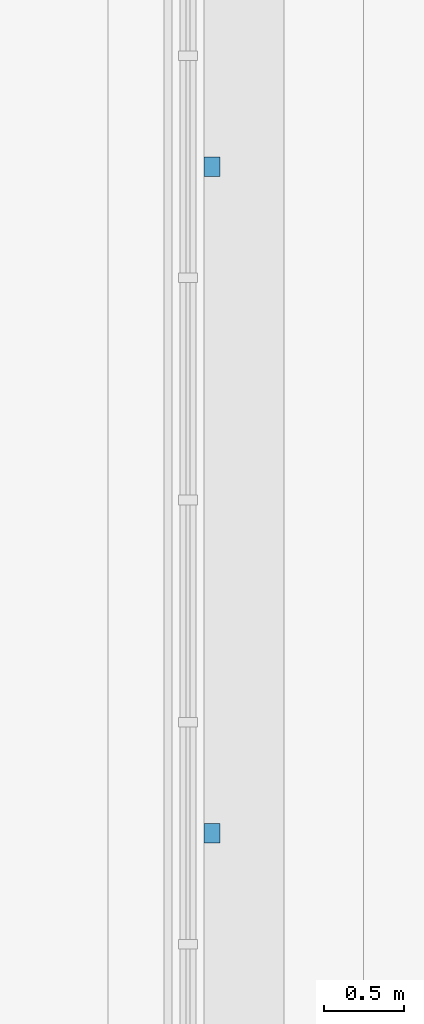
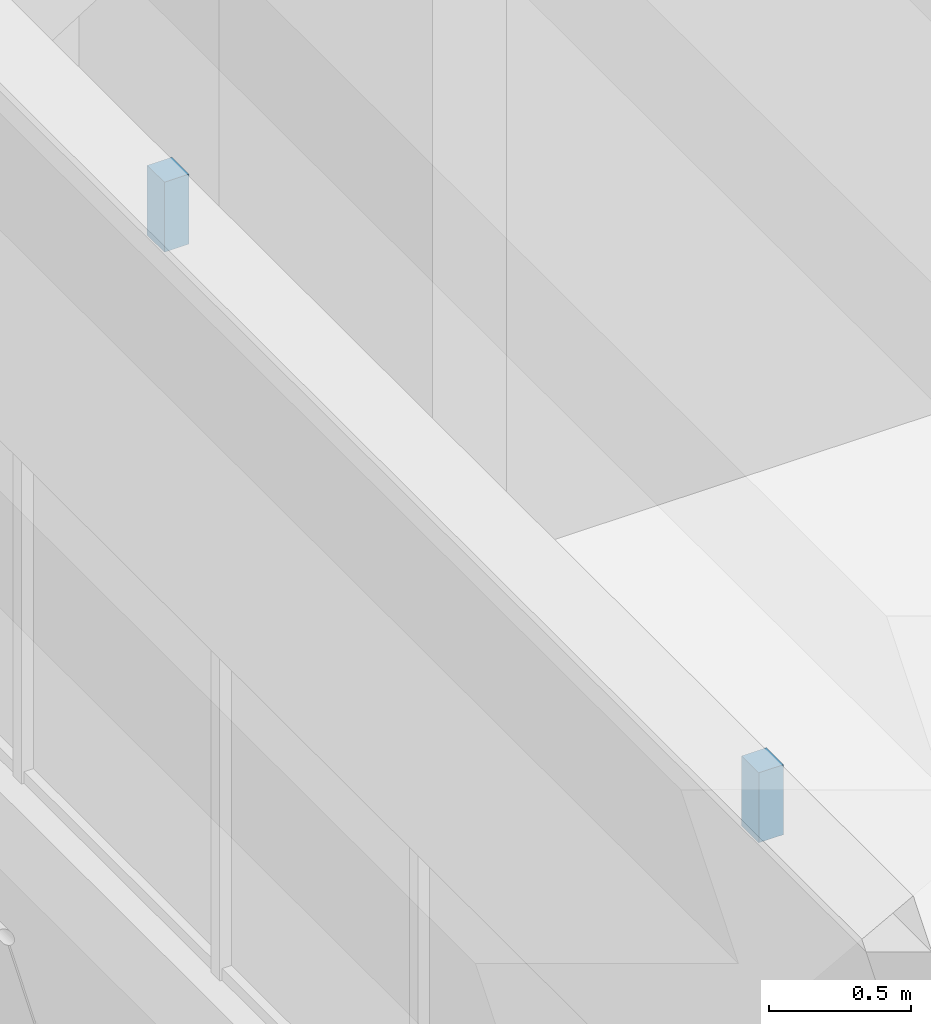
# One storey, part 124 of 182: 2 discrete accessories.
"""IFC4 building model written with IfcOpenShell, lengths in metres."""

import ifcopenshell
import ifcopenshell.guid

model = None  # the IFC model being written
_history = None  # IfcOwnerHistory: only IFC2X3 demands one
_inside = {}  # id of a spatial element -> (the spatial element, [elements in it])
_under = {}  # id of a project, library or spatial element -> (it, [spatial elements below it])
_declared = {}  # id of a project -> (the project, [libraries it declares])
_typed = {}  # id of a type object -> (the type object, [elements of that type])
_made_of = {}  # id of a material, layer set ... -> (it, [elements and type objects made of it])


def new_model(schema):
    """Start an empty IFC model of exactly this schema.

    Asked for "IFC4X3", IfcOpenShell would pick the latest addendum, in which some entities
    have other attributes; the version numbers below select the first issue.
    IFC2X3 requires an IfcOwnerHistory on every rooted entity: one is made here for all.
    """
    global model, _history
    if schema == "IFC4X3":
        model = ifcopenshell.file(schema_version=(4, 3, 0, 0))
    else:
        model = ifcopenshell.file(schema=schema)
    _inside.clear()
    _under.clear()
    _declared.clear()
    _typed.clear()
    _made_of.clear()
    _history = None
    if model.schema == "IFC2X3":
        org = make("IfcOrganization", Name="unknown")
        user = make(
            "IfcPersonAndOrganization",
            ThePerson=make("IfcPerson", FamilyName="unknown"),
            TheOrganization=org,
        )
        app = make(
            "IfcApplication",
            ApplicationDeveloper=org,
            Version="unknown",
            ApplicationFullName="unknown",
            ApplicationIdentifier="unknown",
        )
        _history = make(
            "IfcOwnerHistory",
            OwningUser=user,
            OwningApplication=app,
            ChangeAction="ADDED",
            CreationDate=0,
        )
    return model


def make(cls, **values):
    """One entity of the class cls with the attributes given. An attribute that is None is left unset."""
    return model.create_entity(
        cls, **{name: value for name, value in values.items() if value is not None}
    )


def rooted(cls, **values):
    """An entity with a GlobalId (a new one), such as an element, a storey or a relation."""
    return make(cls, GlobalId=ifcopenshell.guid.new(), OwnerHistory=_history, **values)


def si_unit(unit_type, name, prefix=None):
    """IfcSIUnit, for example si_unit("LENGTHUNIT", "METRE", prefix="MILLI")."""
    return make("IfcSIUnit", UnitType=unit_type, Prefix=prefix, Name=name)


def assignment(units):
    """IfcUnitAssignment: the units of a project."""
    return None if units is None else make("IfcUnitAssignment", Units=units)


def point(xyz):
    """IfcCartesianPoint."""
    return None if xyz is None else make("IfcCartesianPoint", Coordinates=xyz)


def direction(xyz):
    """IfcDirection."""
    return None if xyz is None else make("IfcDirection", DirectionRatios=xyz)


def frame(location, z_axis=None, x_axis=None):
    """IfcAxis2Placement3D, a coordinate frame: its origin and axes. An axis left out is left unset."""
    return make(
        "IfcAxis2Placement3D",
        Location=point(location),
        Axis=direction(z_axis),
        RefDirection=direction(x_axis),
    )


def frame_2d(location, x_axis=None):
    """IfcAxis2Placement2D, a coordinate frame in the plane: its origin and x axis."""
    return make(
        "IfcAxis2Placement2D", Location=point(location), RefDirection=direction(x_axis)
    )


def origin():
    """The frame at (0, 0, 0) with its axes left unset."""
    return frame((0.0, 0.0, 0.0))


def origin_2d():
    """The frame at (0, 0) in the plane with its x axis left unset."""
    return frame_2d((0.0, 0.0))


def place(relative_to, where):
    """IfcLocalPlacement: puts the frame where relative to a parent placement (None: the world)."""
    return make(
        "IfcLocalPlacement", PlacementRelTo=relative_to, RelativePlacement=where
    )


def context(
    kind, dimensions, precision=None, world=None, true_north=None, identifier=None
):
    """IfcGeometricRepresentationContext, for example the 3D "Model" context."""
    return make(
        "IfcGeometricRepresentationContext",
        ContextIdentifier=identifier,
        ContextType=kind,
        CoordinateSpaceDimension=dimensions,
        Precision=precision,
        WorldCoordinateSystem=world,
        TrueNorth=true_north,
    )


def subcontext(parent, identifier, kind, view, scale=None):
    """IfcGeometricRepresentationSubContext, for example "Body" below "Model"."""
    return make(
        "IfcGeometricRepresentationSubContext",
        ContextIdentifier=identifier,
        ContextType=kind,
        ParentContext=parent,
        TargetScale=scale,
        TargetView=view,
    )


def project(units=None, contexts=None):
    """IfcProject with its units and contexts."""
    return rooted(
        "IfcProject",
        Name="project",
        RepresentationContexts=contexts,
        UnitsInContext=assignment(units),
    )


def spatial(cls, under=None, at=None, **own):
    """A site, building, storey or space (cls), placed at a placement, below another one or the project."""
    s = rooted(cls, ObjectPlacement=at, **own)
    if under is not None:
        _under.setdefault(under.id(), (under, []))[1].append(s)
    return s


def profile(cls, at=None, kind="AREA", **sizes):
    """A parametric profile (cls). Its sizes go by their IFC names, for example OverallWidth=200.0."""
    return make(cls, ProfileType=kind, Position=at, **sizes)


def rectangle(**sizes):
    """IfcRectangleProfileDef."""
    return profile("IfcRectangleProfileDef", **sizes)


def extrude(swept, where, along, depth):
    """IfcExtrudedAreaSolid: the profile swept, set in the frame where, extruded along a direction by depth."""
    return make(
        "IfcExtrudedAreaSolid",
        SweptArea=swept,
        Position=where,
        ExtrudedDirection=direction(along),
        Depth=depth,
    )


def shape(context_of_items, identifier, shape_type, items):
    """IfcShapeRepresentation: the items that make up one representation, for example the "Body"."""
    return make(
        "IfcShapeRepresentation",
        ContextOfItems=context_of_items,
        RepresentationIdentifier=identifier,
        RepresentationType=shape_type,
        Items=items,
    )


def material(Name=None, Category=None):
    """IfcMaterial."""
    return make("IfcMaterial", Name=Name, Category=Category)


def made_of(thing, what):
    """Note that an element or type object is made of a material, layer set ...; save() writes the relation."""
    if what is not None:
        _made_of.setdefault(what.id(), (what, []))[1].append(thing)
    return thing


def type_object(cls, material=None, **own):
    """A type object (cls), such as IfcWallType, which elements share."""
    return made_of(rooted(cls, **own), material)


def element(
    cls,
    number,
    at=None,
    inside=None,
    cuts=None,
    type_object=None,
    material=None,
    context=None,
    identifier="Body",
    shape_type=None,
    held_by="IfcProductDefinitionShape",
    body=None,
    shapes=None,
    **own,
):
    """One element of the class cls, such as IfcWall. Its Tag is "e" and its number.

    at: its placement. inside: the storey or other place that contains it. cuts: it is an
    opening in that element (IfcRelVoidsElement). A single representation is given by context,
    identifier, shape_type and body (its items); several are given by shapes. held_by: the class
    of the entity that holds the representations. save() writes the other relations.
    """
    e = rooted(cls, Tag="e%d" % number, ObjectPlacement=at, **own)
    if body is not None:
        shapes = [shape(context, identifier, shape_type, body)]
    if shapes is not None:
        e.Representation = make(held_by, Representations=shapes)
    if inside is not None:
        _inside.setdefault(inside.id(), (inside, []))[1].append(e)
    if cuts is not None:
        rooted(
            "IfcRelVoidsElement", RelatingBuildingElement=cuts, RelatedOpeningElement=e
        )
    if type_object is not None:
        _typed.setdefault(type_object.id(), (type_object, []))[1].append(e)
    return made_of(e, material)


def aggregate(whole, parts):
    """IfcRelAggregates: a whole, such as a stair, and the parts it consists of."""
    return rooted("IfcRelAggregates", RelatingObject=whole, RelatedObjects=parts)


def save(model, path):
    """Write the relations noted so far, then the file.

    IfcRelAggregates (storeys below a building ...), IfcRelContainedInSpatialStructure (elements
    in a storey), IfcRelDefinesByType, IfcRelAssociatesMaterial and IfcRelDeclares: one each for
    every whole, place, type object, material and project.
    """
    for whole, parts in _under.values():
        aggregate(whole, parts)
    for where, things in _inside.values():
        rooted(
            "IfcRelContainedInSpatialStructure",
            RelatedElements=things,
            RelatingStructure=where,
        )
    for kind, things in _typed.values():
        rooted("IfcRelDefinesByType", RelatedObjects=things, RelatingType=kind)
    for what, things in _made_of.values():
        rooted("IfcRelAssociatesMaterial", RelatedObjects=things, RelatingMaterial=what)
    for by, libraries in _declared.values():
        rooted("IfcRelDeclares", RelatingContext=by, RelatedDefinitions=libraries)
    model.write(path)


model = new_model("IFC4")

# Units and contexts
model_context = context("Model", 3, precision=1e-05, world=origin(), true_north=direction((0.0, 1.0)))
body_context = subcontext(model_context, "Body", "Model", "MODEL_VIEW")
ifc_project = project(units=[si_unit("LENGTHUNIT", "METRE"), si_unit("AREAUNIT", "SQUARE_METRE"), si_unit("VOLUMEUNIT", "CUBIC_METRE"), si_unit("PLANEANGLEUNIT", "RADIAN"), si_unit("MASSUNIT", "GRAM", prefix="KILO")], contexts=[model_context])

# Site, building, storey
site_placement = place(None, origin())
site = spatial("IfcSite", under=ifc_project, at=site_placement, CompositionType="ELEMENT")
building_placement = place(site_placement, origin())
building = spatial("IfcBuilding", under=site, at=building_placement, Name="Silverbay Arena", CompositionType="ELEMENT")
storey_placement = place(building_placement, frame((0.0, 0.0, 11.5)))
storey = spatial("IfcBuildingStorey", under=building, at=storey_placement, Name="L02", CompositionType="ELEMENT", Elevation=11.5)

# Discrete accessories
ifc_material = material(Name="Steel S355", Category="steel")
discrete_accessory_type = type_object("IfcDiscreteAccessoryType", Name="Steel bracket plate", PredefinedType="BRACKET", material=ifc_material)
for number, where, z_axis, x_axis, name in (
    (1, (177.550048828125, 92.4375, 3.76416015625), (0.0, 0.0, 1.0), (0.0, 1.0, 0.0), "Fascia hanger bracket"),
    (2, (177.550048828125, 96.612548828125, 3.76416015625), (0.0, 0.0, 1.0), (0.0, 1.0, 0.0), "Fascia hanger bracket"),
):
    element("IfcDiscreteAccessory", number, at=place(storey_placement, frame(where, z_axis=z_axis, x_axis=x_axis)), inside=storey, type_object=discrete_accessory_type, Name=name, PredefinedType="BRACKET", context=body_context, shape_type="SweptSolid", body=[
        extrude(rectangle(XDim=0.1201171875, YDim=0.10009765625, at=origin_2d()), origin(), (0.0, 0.0, 1.0), 0.300048828125),
    ])

save(model, "model.ifc")
